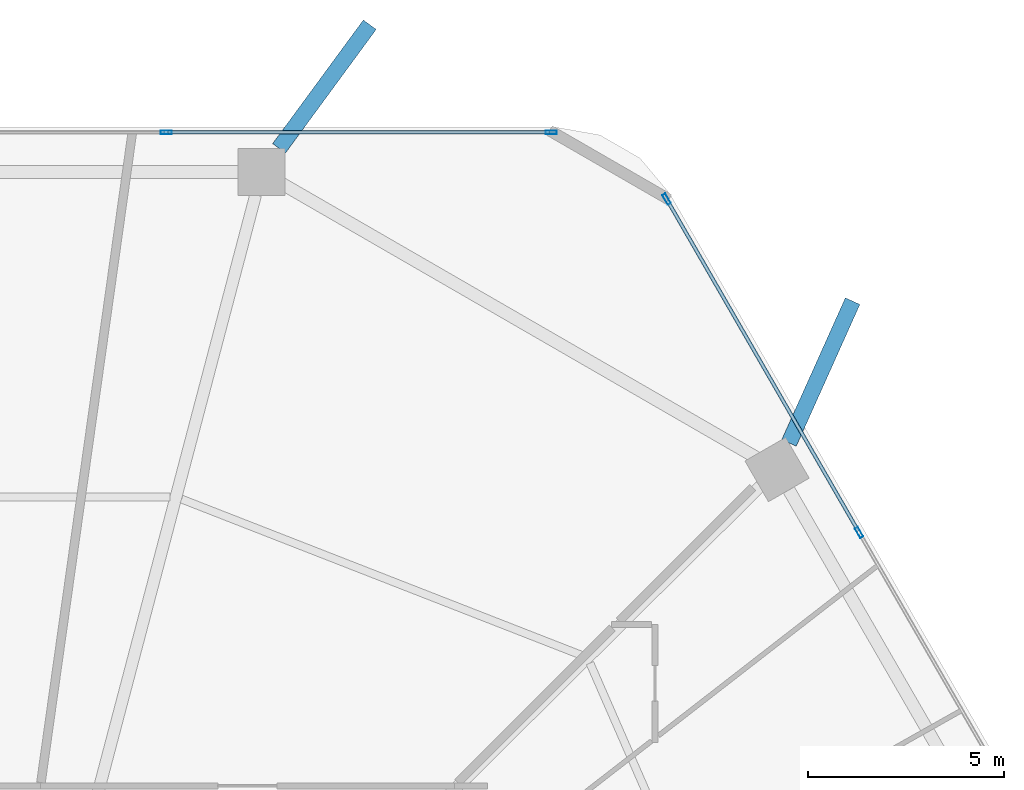
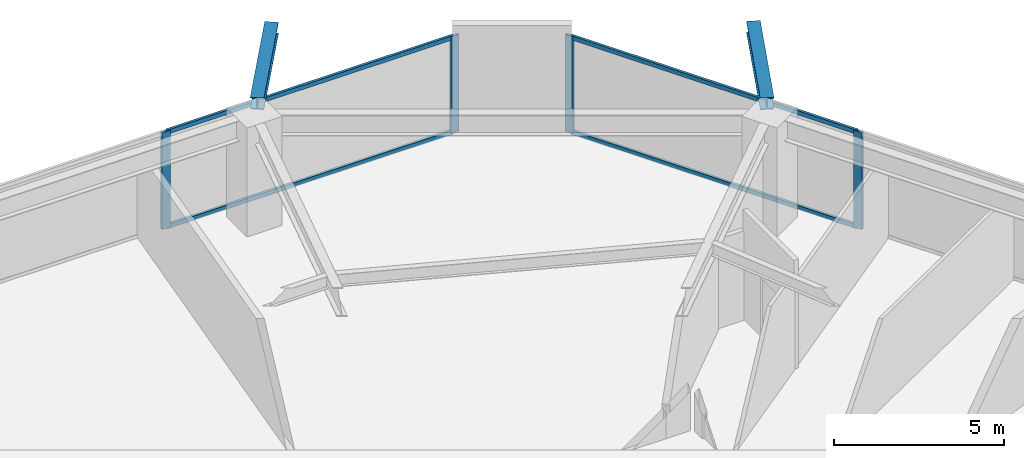
# One storey, part 19 of 25: 8 members, 2 beams, 2 elements without a shape of their own.
"""IFC4 building model written with IfcOpenShell, lengths in metres."""

from ifc_helpers import new_model, si_unit, direction, frame, origin, origin_2d, place, context, subcontext, project, spatial, hollow_rectangle, i_section, extrude, material, material_profile, profile_set, type_object, element, aggregate, save


model = new_model("IFC4")

# Units and contexts
model_context = context("Model", 3, precision=1e-05, world=origin(), true_north=direction((0.0, 1.0)))
body_context = subcontext(model_context, "Body", "Model", "MODEL_VIEW")
ifc_project = project(units=[si_unit("LENGTHUNIT", "METRE"), si_unit("AREAUNIT", "SQUARE_METRE"), si_unit("VOLUMEUNIT", "CUBIC_METRE"), si_unit("PLANEANGLEUNIT", "RADIAN"), si_unit("MASSUNIT", "GRAM", prefix="KILO")], contexts=[model_context])

# Site, building, storey
site_placement = place(None, origin())
site = spatial("IfcSite", under=ifc_project, at=site_placement, CompositionType="ELEMENT")
building_placement = place(site_placement, origin())
building = spatial("IfcBuilding", under=site, at=building_placement, Name="Zuhravey Tower", CompositionType="ELEMENT")
storey_placement = place(building_placement, frame((0.0, 0.0, 20.39990234375)))
storey = spatial("IfcBuildingStorey", under=building, at=storey_placement, Name="L05", CompositionType="ELEMENT", Elevation=20.39990234375)

# Curtain wall, members
ifc_material_1 = material(Name="Thermally broken anodised aluminium", Category="aluminium")
curtain_wall_type = type_object("IfcCurtainWallType", Name="School Low-E Unitised Curtain Wall CW1", PredefinedType="NOTDEFINED", material=ifc_material_1)
curtain_wall_1_placement = place(storey_placement, origin())
curtain_wall_1 = element("IfcCurtainWall", 1, at=curtain_wall_1_placement, inside=storey, type_object=curtain_wall_type, Name="L05 CW1 CW-L05-F2-1", PredefinedType="NOTDEFINED")
ifc_material_2 = material(Name="Anodised aluminium", Category="aluminium")
ifc_material_profile_1 = material_profile(ifc_material_2, hollow_rectangle(XDim=0.090087890625, YDim=0.284912109375, WallThickness=0.0048828125, at=origin_2d()), Name="ALU-RHS-90x285x5")
ifc_profile_set_1 = profile_set([ifc_material_profile_1], Name="Anodised aluminium")
member_type_1 = type_object("IfcMemberType", Name="Curtain-Wall Mullion 90x180", PredefinedType="MULLION", material=ifc_profile_set_1)
member_1_placement = place(storey_placement, frame((40.93310546875, 60.95849609375, 0.0), z_axis=(0.0, 0.0, 1.0), x_axis=(0.0, 1.0, 0.0)))
member_1 = element("IfcMember", 2, at=member_1_placement, type_object=member_type_1, Name="CW1 mullion 3", PredefinedType="MULLION", context=body_context, shape_type="SweptSolid", body=[
    extrude(hollow_rectangle(XDim=0.090087890625, YDim=0.284912109375, WallThickness=0.0048828125, at=origin_2d()), origin(), (0.0, 0.0, 1.0), 3.4921875),
])
member_2_placement = place(storey_placement, frame((50.75439453125, 60.95849609375, 0.0), z_axis=(0.0, 0.0, 1.0), x_axis=(0.0, 1.0, 0.0)))
member_2 = element("IfcMember", 3, at=member_2_placement, type_object=member_type_1, Name="CW1 mullion 4", PredefinedType="MULLION", context=body_context, shape_type="SweptSolid", body=[
    extrude(hollow_rectangle(XDim=0.090087890625, YDim=0.284912109375, WallThickness=0.0048828125, at=origin_2d()), origin(), (0.0, 0.0, 1.0), 3.4921875),
])

curtain_wall_2_placement = place(storey_placement, origin())
curtain_wall_2 = element("IfcCurtainWall", 4, at=curtain_wall_2_placement, inside=storey, type_object=curtain_wall_type, Name="L05 CW1 CW-L05-F1-1", PredefinedType="NOTDEFINED")
member_3_placement = place(storey_placement, frame((53.701416015625, 59.257080078125, 0.0), z_axis=(0.0, 0.0, 1.0), x_axis=(0.86602552265, 0.499999794119, 0.0)))
member_3 = element("IfcMember", 5, at=member_3_placement, type_object=member_type_1, Name="CW1 mullion 1", PredefinedType="MULLION", context=body_context, shape_type="SweptSolid", body=[
    extrude(hollow_rectangle(XDim=0.090087890625, YDim=0.284912109375, WallThickness=0.0048828125, at=origin_2d()), origin(), (0.0, 0.0, 1.0), 3.4921875),
])
member_4_placement = place(storey_placement, frame((58.612060546875, 50.75146484375, 0.0), z_axis=(0.0, 0.0, 1.0), x_axis=(0.86602552265, 0.499999794119, 0.0)))
member_4 = element("IfcMember", 6, at=member_4_placement, type_object=member_type_1, Name="CW1 mullion 2", PredefinedType="MULLION", context=body_context, shape_type="SweptSolid", body=[
    extrude(hollow_rectangle(XDim=0.090087890625, YDim=0.284912109375, WallThickness=0.0048828125, at=origin_2d()), origin(), (0.0, 0.0, 1.0), 3.4921875),
])

# Member
ifc_material_profile_2 = material_profile(ifc_material_2, hollow_rectangle(XDim=0.090087890625, YDim=0.14990234375, WallThickness=0.0048828125, at=origin_2d()), Name="ALU-RHS-90x150x5")
ifc_profile_set_2 = profile_set([ifc_material_profile_2], Name="Anodised aluminium")
member_type_2 = type_object("IfcMemberType", Name="Curtain-Wall Transom 90x150", PredefinedType="USERDEFINED", material=ifc_profile_set_2)
member_5_placement = place(storey_placement, frame((40.978271484375, 60.95849609375, 0.045166015625), z_axis=(1.0, 0.0, 0.0), x_axis=(0.0, 1.0, 0.0)))
member_5 = element("IfcMember", 7, at=member_5_placement, type_object=member_type_2, Name="CW1 transom 3.1", ObjectType="TRANSOM", PredefinedType="USERDEFINED", context=body_context, shape_type="SweptSolid", body=[
    extrude(hollow_rectangle(XDim=0.090087890625, YDim=0.14990234375, WallThickness=0.0048828125, at=origin_2d()), origin(), (0.0, 0.0, 1.0), 9.731201171875),
])

member_6_placement = place(storey_placement, frame((40.978271484375, 60.95849609375, 3.447021484375), z_axis=(1.0, 0.0, 0.0), x_axis=(0.0, 1.0, 0.0)))
member_6 = element("IfcMember", 8, at=member_6_placement, type_object=member_type_2, Name="CW1 transom 3.2", ObjectType="TRANSOM", PredefinedType="USERDEFINED", context=body_context, shape_type="SweptSolid", body=[
    extrude(hollow_rectangle(XDim=0.090087890625, YDim=0.14990234375, WallThickness=0.0048828125, at=origin_2d()), origin(), (0.0, 0.0, 1.0), 9.731201171875),
])

aggregate(curtain_wall_1, [member_1, member_2, member_5, member_6])

member_7_placement = place(storey_placement, frame((53.72412109375, 59.218017578125, 0.045166015625), z_axis=(0.499989576763, -0.86603142156, 0.0), x_axis=(0.86603142156, 0.499989576763, 0.0)))
member_7 = element("IfcMember", 9, at=member_7_placement, type_object=member_type_2, Name="CW1 transom 1.1", ObjectType="TRANSOM", PredefinedType="USERDEFINED", context=body_context, shape_type="SweptSolid", body=[
    extrude(hollow_rectangle(XDim=0.090087890625, YDim=0.14990234375, WallThickness=0.0048828125, at=origin_2d()), origin(), (0.0, 0.0, 1.0), 9.731201171875),
])

member_8_placement = place(storey_placement, frame((53.72412109375, 59.218017578125, 3.447021484375), z_axis=(0.499989576763, -0.86603142156, 0.0), x_axis=(0.86603142156, 0.499989576763, 0.0)))
member_8 = element("IfcMember", 10, at=member_8_placement, type_object=member_type_2, Name="CW1 transom 1.2", ObjectType="TRANSOM", PredefinedType="USERDEFINED", context=body_context, shape_type="SweptSolid", body=[
    extrude(hollow_rectangle(XDim=0.090087890625, YDim=0.14990234375, WallThickness=0.0048828125, at=origin_2d()), origin(), (0.0, 0.0, 1.0), 9.731201171875),
])

aggregate(curtain_wall_2, [member_3, member_4, member_7, member_8])

# Beams
ifc_material_3 = material(Name="Steel SM460", Category="steel")
ifc_material_profile_3 = material_profile(ifc_material_3, i_section(OverallWidth=0.406982421875, OverallDepth=0.427978515625, WebThickness=0.02001953125, FlangeThickness=0.034912109375, at=origin_2d()), Name="H-428x407x20x35")
ifc_profile_set_3 = profile_set([ifc_material_profile_3], Name="Steel SM460")
beam_type = type_object("IfcBeamType", Name="Exoskeleton Node Tie Beam H428x407", PredefinedType="BEAM", material=ifc_profile_set_3)
beam_1_placement = place(storey_placement, frame((56.823486328125, 53.035888671875, 3.7060546875), z_axis=(0.409266241278, 0.912415006316, 0.0), x_axis=(-0.912415006316, 0.409266241278, 0.0)))
element("IfcBeam", 11, at=beam_1_placement, inside=storey, type_object=beam_type, Name="L05 Exoskeleton Node Tie NT1-02", PredefinedType="BEAM", context=body_context, shape_type="SweptSolid", body=[
    extrude(i_section(OverallWidth=0.406982421875, OverallDepth=0.427978515625, WebThickness=0.02001953125, FlangeThickness=0.034912109375, at=origin_2d()), origin(), (0.0, 0.0, 1.0), 3.9658203125),
])
beam_2_placement = place(storey_placement, frame((43.812744140625, 60.5517578125, 3.7060546875), z_axis=(0.591671978423, 0.806178807678, 0.0), x_axis=(-0.806178807678, 0.591671978423, 0.0)))
element("IfcBeam", 12, at=beam_2_placement, inside=storey, type_object=beam_type, Name="L05 Exoskeleton Node Tie NT1-03", PredefinedType="BEAM", context=body_context, shape_type="SweptSolid", body=[
    extrude(i_section(OverallWidth=0.406982421875, OverallDepth=0.427978515625, WebThickness=0.02001953125, FlangeThickness=0.034912109375, at=origin_2d()), origin(), (0.0, 0.0, 1.0), 3.912841796875),
])

save(model, "model.ifc")
